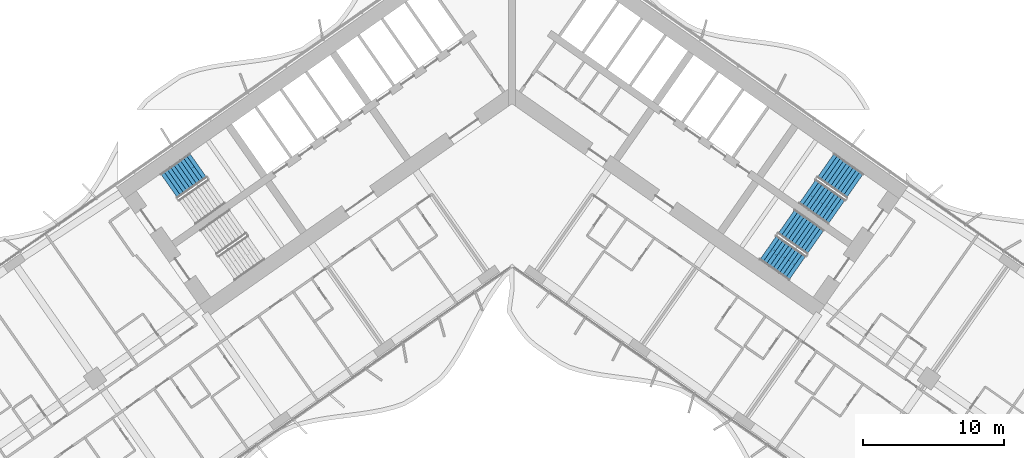
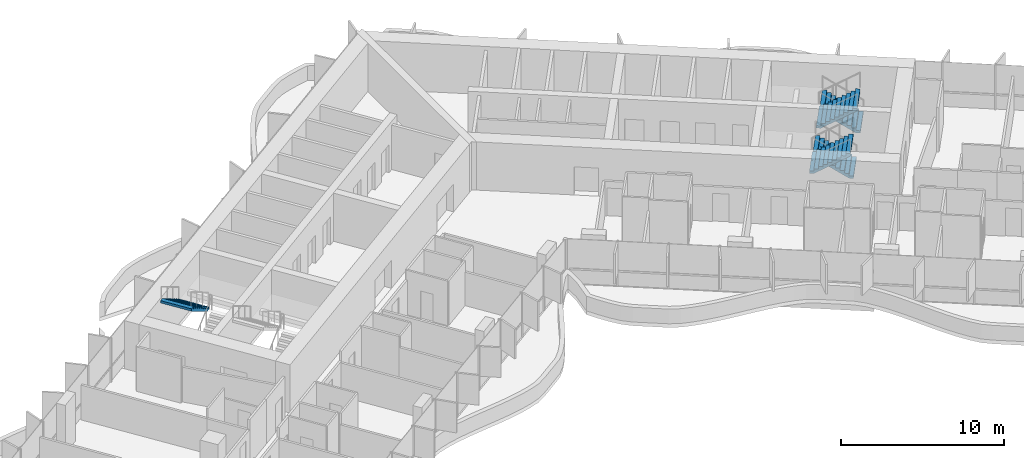
# One storey, part 19 of 25: 5 stair flights, 3 elements without a shape of their own.
"""IFC4 building model written with IfcOpenShell, lengths in metres."""

from ifc_helpers import new_model, si_unit, direction, frame, origin, place, context, subcontext, project, spatial, polyline, outline, extrude, material, type_object, element, aggregate, save


model = new_model("IFC4")

# Units and contexts
model_context = context("Model", 3, precision=1e-05, world=origin(), true_north=direction((0.0, 1.0)))
body_context = subcontext(model_context, "Body", "Model", "MODEL_VIEW")
ifc_project = project(units=[si_unit("LENGTHUNIT", "METRE"), si_unit("AREAUNIT", "SQUARE_METRE"), si_unit("VOLUMEUNIT", "CUBIC_METRE"), si_unit("PLANEANGLEUNIT", "RADIAN"), si_unit("MASSUNIT", "GRAM", prefix="KILO")], contexts=[model_context])

# Site, building, storey
site_placement = place(None, origin())
site = spatial("IfcSite", under=ifc_project, at=site_placement, CompositionType="ELEMENT")
building_placement = place(site_placement, origin())
building = spatial("IfcBuilding", under=site, at=building_placement, Name="Tel Ilan Convention Tower", CompositionType="ELEMENT")
storey_placement = place(building_placement, frame((0.0, 0.0, 61.699951171875)))
storey = spatial("IfcBuildingStorey", under=building, at=storey_placement, Name="L10", CompositionType="ELEMENT", Elevation=61.699951171875)

# Stair, stair flight
ifc_material_1 = material(Name="Concrete C40/50", Category="concrete")
stair_type = type_object("IfcStairType", Name="Pressurised Exit Stair 20 risers 180 mm", PredefinedType="HALF_TURN_STAIR", material=ifc_material_1)
stair_1_placement = place(storey_placement, origin())
stair_1 = element("IfcStair", 1, at=stair_1_placement, inside=storey, type_object=stair_type, Name="L10 Pressurised Stair S1", PredefinedType="HALF_TURN_STAIR")
ifc_material_2 = material(Name="Precast Concrete C40/50", Category="concrete")
stair_flight_type = type_object("IfcStairFlightType", Name="Concrete Stair Flight 2100 mm 20 risers 180 mm", PredefinedType="STRAIGHT", material=ifc_material_2)
stair_flight_1_placement = place(storey_placement, frame((-22.188232421875, -5.5869140625, 1.800048828125), z_axis=(0.0, 0.0, 1.0), x_axis=(-0.819152044289, -0.573576436351, 0.0)))
stair_flight_1 = element("IfcStairFlight", 2, at=stair_flight_1_placement, type_object=stair_flight_type, Name="S1 flight 2", NumberOfRisers=10, NumberOfTreads=9, PredefinedType="STRAIGHT", RiserHeight=0.18, TreadLength=0.28, context=body_context, shape_type="SweptSolid", body=[
    extrude(outline(polyline([(0.0, 0.0), (0.0, 0.179931640625), (0.280029296875, 0.179931640625), (0.280029296875, 0.360107421875), (0.56005859375, 0.360107421875), (0.56005859375, 0.5400390625), (0.840087890625, 0.5400390625), (0.840087890625, 0.719970703125), (1.1201171875, 0.719970703125), (1.1201171875, 0.89990234375), (1.39990234375, 0.89990234375), (1.39990234375, 1.080078125), (1.679931640625, 1.080078125), (1.679931640625, 1.260009765625), (1.9599609375, 1.260009765625), (1.9599609375, 1.43994140625), (2.239990234375, 1.43994140625), (2.239990234375, 1.6201171875), (2.52001953125, 1.6201171875), (2.52001953125, 1.800048828125), (2.52001953125, 1.44189453125), (0.277099609375, 0.0), (0.0, 0.0)])), frame((0.0, -0.100341796875, 0.0), z_axis=(0.0, -1.0, 0.0), x_axis=(1.0, 0.0, 0.0)), (0.0, 0.0, 1.0), 0.94970703125),
    extrude(outline(polyline([(0.0, 0.0), (0.0, 0.179931640625), (0.280029296875, 0.179931640625), (0.280029296875, 0.360107421875), (0.56005859375, 0.360107421875), (0.56005859375, 0.5400390625), (0.840087890625, 0.5400390625), (0.840087890625, 0.719970703125), (1.1201171875, 0.719970703125), (1.1201171875, 0.89990234375), (1.39990234375, 0.89990234375), (1.39990234375, 1.080078125), (1.679931640625, 1.080078125), (1.679931640625, 1.260009765625), (1.9599609375, 1.260009765625), (1.9599609375, 1.43994140625), (2.239990234375, 1.43994140625), (2.239990234375, 1.6201171875), (2.52001953125, 1.6201171875), (2.52001953125, 1.800048828125), (2.52001953125, 1.44189453125), (0.277099609375, 0.0), (0.0, 0.0)])), frame((0.0, -0.000244140625, 0.0), z_axis=(0.0, -1.0, 0.0), x_axis=(1.0, 0.0, 0.0)), (0.0, 0.0, 1.0), 0.099609375),
    extrude(outline(polyline([(0.0, 0.0), (0.0, 0.179931640625), (0.280029296875, 0.179931640625), (0.280029296875, 0.360107421875), (0.56005859375, 0.360107421875), (0.56005859375, 0.5400390625), (0.840087890625, 0.5400390625), (0.840087890625, 0.719970703125), (1.1201171875, 0.719970703125), (1.1201171875, 0.89990234375), (1.39990234375, 0.89990234375), (1.39990234375, 1.080078125), (1.679931640625, 1.080078125), (1.679931640625, 1.260009765625), (1.9599609375, 1.260009765625), (1.9599609375, 1.43994140625), (2.239990234375, 1.43994140625), (2.239990234375, 1.6201171875), (2.52001953125, 1.6201171875), (2.52001953125, 1.800048828125), (2.52001953125, 1.44189453125), (0.277099609375, 0.0), (0.0, 0.0)])), frame((0.0, 0.099853515625, 0.0), z_axis=(0.0, -1.0, 0.0), x_axis=(1.0, 0.0, 0.0)), (0.0, 0.0, 1.0), 0.099609375),
    extrude(outline(polyline([(0.0, 0.0), (0.0, 0.179931640625), (0.280029296875, 0.179931640625), (0.280029296875, 0.360107421875), (0.56005859375, 0.360107421875), (0.56005859375, 0.5400390625), (0.840087890625, 0.5400390625), (0.840087890625, 0.719970703125), (1.1201171875, 0.719970703125), (1.1201171875, 0.89990234375), (1.39990234375, 0.89990234375), (1.39990234375, 1.080078125), (1.679931640625, 1.080078125), (1.679931640625, 1.260009765625), (1.9599609375, 1.260009765625), (1.9599609375, 1.43994140625), (2.239990234375, 1.43994140625), (2.239990234375, 1.6201171875), (2.52001953125, 1.6201171875), (2.52001953125, 1.800048828125), (2.52001953125, 1.44189453125), (0.277099609375, 0.0), (0.0, 0.0)])), frame((0.0, 1.050048828125, 0.0), z_axis=(0.0, -1.0, 0.0), x_axis=(1.0, 0.0, 0.0)), (0.0, 0.0, 1.0), 0.94970703125),
])
aggregate(stair_1, [stair_flight_1])

# Stair, stair flights
stair_2_placement = place(storey_placement, origin())
stair_2 = element("IfcStair", 3, at=stair_2_placement, inside=storey, type_object=stair_type, Name="L10 Pressurised Stair S3", PredefinedType="HALF_TURN_STAIR")
stair_flight_2_placement = place(storey_placement, frame((24.25244140625, -7.032470703125, 0.0), z_axis=(0.0, 0.0, 1.0), x_axis=(-0.819152044289, 0.573576436351, 0.0)))
stair_flight_2 = element("IfcStairFlight", 4, at=stair_flight_2_placement, type_object=stair_flight_type, Name="S3 flight 1", NumberOfRisers=10, NumberOfTreads=9, PredefinedType="STRAIGHT", RiserHeight=0.18, TreadLength=0.28, context=body_context, shape_type="SweptSolid", body=[
    extrude(outline(polyline([(0.0, 0.0), (0.0, 0.179931640625), (0.280029296875, 0.179931640625), (0.280029296875, 0.360107421875), (0.56005859375, 0.360107421875), (0.56005859375, 0.5400390625), (0.840087890625, 0.5400390625), (0.840087890625, 0.719970703125), (1.1201171875, 0.719970703125), (1.1201171875, 0.89990234375), (1.39990234375, 0.89990234375), (1.39990234375, 1.080078125), (1.679931640625, 1.080078125), (1.679931640625, 1.260009765625), (1.9599609375, 1.260009765625), (1.9599609375, 1.43994140625), (2.239990234375, 1.43994140625), (2.239990234375, 1.6201171875), (2.52001953125, 1.6201171875), (2.52001953125, 1.800048828125), (2.52001953125, 1.44189453125), (0.277099609375, 0.0), (0.0, 0.0)])), frame((0.0, -0.100341796875, 0.0), z_axis=(0.0, -1.0, 0.0), x_axis=(1.0, 0.0, 0.0)), (0.0, 0.0, 1.0), 0.94970703125),
    extrude(outline(polyline([(0.0, 0.0), (0.0, 0.179931640625), (0.280029296875, 0.179931640625), (0.280029296875, 0.360107421875), (0.56005859375, 0.360107421875), (0.56005859375, 0.5400390625), (0.840087890625, 0.5400390625), (0.840087890625, 0.719970703125), (1.1201171875, 0.719970703125), (1.1201171875, 0.89990234375), (1.39990234375, 0.89990234375), (1.39990234375, 1.080078125), (1.679931640625, 1.080078125), (1.679931640625, 1.260009765625), (1.9599609375, 1.260009765625), (1.9599609375, 1.43994140625), (2.239990234375, 1.43994140625), (2.239990234375, 1.6201171875), (2.52001953125, 1.6201171875), (2.52001953125, 1.800048828125), (2.52001953125, 1.44189453125), (0.277099609375, 0.0), (0.0, 0.0)])), frame((0.0, -0.000244140625, 0.0), z_axis=(0.0, -1.0, 0.0), x_axis=(1.0, 0.0, 0.0)), (0.0, 0.0, 1.0), 0.099609375),
    extrude(outline(polyline([(0.0, 0.0), (0.0, 0.179931640625), (0.280029296875, 0.179931640625), (0.280029296875, 0.360107421875), (0.56005859375, 0.360107421875), (0.56005859375, 0.5400390625), (0.840087890625, 0.5400390625), (0.840087890625, 0.719970703125), (1.1201171875, 0.719970703125), (1.1201171875, 0.89990234375), (1.39990234375, 0.89990234375), (1.39990234375, 1.080078125), (1.679931640625, 1.080078125), (1.679931640625, 1.260009765625), (1.9599609375, 1.260009765625), (1.9599609375, 1.43994140625), (2.239990234375, 1.43994140625), (2.239990234375, 1.6201171875), (2.52001953125, 1.6201171875), (2.52001953125, 1.800048828125), (2.52001953125, 1.44189453125), (0.277099609375, 0.0), (0.0, 0.0)])), frame((0.0, 0.099853515625, 0.0), z_axis=(0.0, -1.0, 0.0), x_axis=(1.0, 0.0, 0.0)), (0.0, 0.0, 1.0), 0.099609375),
    extrude(outline(polyline([(0.0, 0.0), (0.0, 0.179931640625), (0.280029296875, 0.179931640625), (0.280029296875, 0.360107421875), (0.56005859375, 0.360107421875), (0.56005859375, 0.5400390625), (0.840087890625, 0.5400390625), (0.840087890625, 0.719970703125), (1.1201171875, 0.719970703125), (1.1201171875, 0.89990234375), (1.39990234375, 0.89990234375), (1.39990234375, 1.080078125), (1.679931640625, 1.080078125), (1.679931640625, 1.260009765625), (1.9599609375, 1.260009765625), (1.9599609375, 1.43994140625), (2.239990234375, 1.43994140625), (2.239990234375, 1.6201171875), (2.52001953125, 1.6201171875), (2.52001953125, 1.800048828125), (2.52001953125, 1.44189453125), (0.277099609375, 0.0), (0.0, 0.0)])), frame((0.0, 1.050048828125, 0.0), z_axis=(0.0, -1.0, 0.0), x_axis=(1.0, 0.0, 0.0)), (0.0, 0.0, 1.0), 0.94970703125),
])
stair_flight_3_placement = place(storey_placement, frame((20.8974609375, -7.43017578125, 1.800048828125), z_axis=(0.0, 0.0, 1.0), x_axis=(0.819152044289, -0.573576436351, 0.0)))
stair_flight_3 = element("IfcStairFlight", 5, at=stair_flight_3_placement, type_object=stair_flight_type, Name="S3 flight 2", NumberOfRisers=10, NumberOfTreads=9, PredefinedType="STRAIGHT", RiserHeight=0.18, TreadLength=0.28, context=body_context, shape_type="SweptSolid", body=[
    extrude(outline(polyline([(0.0, 0.0), (0.0, 0.179931640625), (0.280029296875, 0.179931640625), (0.280029296875, 0.360107421875), (0.56005859375, 0.360107421875), (0.56005859375, 0.5400390625), (0.840087890625, 0.5400390625), (0.840087890625, 0.719970703125), (1.1201171875, 0.719970703125), (1.1201171875, 0.89990234375), (1.39990234375, 0.89990234375), (1.39990234375, 1.080078125), (1.679931640625, 1.080078125), (1.679931640625, 1.260009765625), (1.9599609375, 1.260009765625), (1.9599609375, 1.43994140625), (2.239990234375, 1.43994140625), (2.239990234375, 1.6201171875), (2.52001953125, 1.6201171875), (2.52001953125, 1.800048828125), (2.52001953125, 1.44189453125), (0.277099609375, 0.0), (0.0, 0.0)])), frame((0.0, -0.100341796875, 0.0), z_axis=(0.0, -1.0, 0.0), x_axis=(1.0, 0.0, 0.0)), (0.0, 0.0, 1.0), 0.94970703125),
    extrude(outline(polyline([(0.0, 0.0), (0.0, 0.179931640625), (0.280029296875, 0.179931640625), (0.280029296875, 0.360107421875), (0.56005859375, 0.360107421875), (0.56005859375, 0.5400390625), (0.840087890625, 0.5400390625), (0.840087890625, 0.719970703125), (1.1201171875, 0.719970703125), (1.1201171875, 0.89990234375), (1.39990234375, 0.89990234375), (1.39990234375, 1.080078125), (1.679931640625, 1.080078125), (1.679931640625, 1.260009765625), (1.9599609375, 1.260009765625), (1.9599609375, 1.43994140625), (2.239990234375, 1.43994140625), (2.239990234375, 1.6201171875), (2.52001953125, 1.6201171875), (2.52001953125, 1.800048828125), (2.52001953125, 1.44189453125), (0.277099609375, 0.0), (0.0, 0.0)])), frame((0.0, -0.000244140625, 0.0), z_axis=(0.0, -1.0, 0.0), x_axis=(1.0, 0.0, 0.0)), (0.0, 0.0, 1.0), 0.099609375),
    extrude(outline(polyline([(0.0, 0.0), (0.0, 0.179931640625), (0.280029296875, 0.179931640625), (0.280029296875, 0.360107421875), (0.56005859375, 0.360107421875), (0.56005859375, 0.5400390625), (0.840087890625, 0.5400390625), (0.840087890625, 0.719970703125), (1.1201171875, 0.719970703125), (1.1201171875, 0.89990234375), (1.39990234375, 0.89990234375), (1.39990234375, 1.080078125), (1.679931640625, 1.080078125), (1.679931640625, 1.260009765625), (1.9599609375, 1.260009765625), (1.9599609375, 1.43994140625), (2.239990234375, 1.43994140625), (2.239990234375, 1.6201171875), (2.52001953125, 1.6201171875), (2.52001953125, 1.800048828125), (2.52001953125, 1.44189453125), (0.277099609375, 0.0), (0.0, 0.0)])), frame((0.0, 0.099853515625, 0.0), z_axis=(0.0, -1.0, 0.0), x_axis=(1.0, 0.0, 0.0)), (0.0, 0.0, 1.0), 0.099609375),
    extrude(outline(polyline([(0.0, 0.0), (0.0, 0.179931640625), (0.280029296875, 0.179931640625), (0.280029296875, 0.360107421875), (0.56005859375, 0.360107421875), (0.56005859375, 0.5400390625), (0.840087890625, 0.5400390625), (0.840087890625, 0.719970703125), (1.1201171875, 0.719970703125), (1.1201171875, 0.89990234375), (1.39990234375, 0.89990234375), (1.39990234375, 1.080078125), (1.679931640625, 1.080078125), (1.679931640625, 1.260009765625), (1.9599609375, 1.260009765625), (1.9599609375, 1.43994140625), (2.239990234375, 1.43994140625), (2.239990234375, 1.6201171875), (2.52001953125, 1.6201171875), (2.52001953125, 1.800048828125), (2.52001953125, 1.44189453125), (0.277099609375, 0.0), (0.0, 0.0)])), frame((0.0, 1.050048828125, 0.0), z_axis=(0.0, -1.0, 0.0), x_axis=(1.0, 0.0, 0.0)), (0.0, 0.0, 1.0), 0.94970703125),
])
aggregate(stair_2, [stair_flight_2, stair_flight_3])

stair_3_placement = place(storey_placement, origin())
stair_3 = element("IfcStair", 6, at=stair_3_placement, inside=storey, type_object=stair_type, Name="L10 Pressurised Stair S4", PredefinedType="HALF_TURN_STAIR")
stair_flight_4_placement = place(storey_placement, frame((21.470458984375, -11.00537109375, 0.0), z_axis=(0.0, 0.0, 1.0), x_axis=(-0.819152044289, 0.573576436351, 0.0)))
stair_flight_4 = element("IfcStairFlight", 7, at=stair_flight_4_placement, type_object=stair_flight_type, Name="S4 flight 1", NumberOfRisers=10, NumberOfTreads=9, PredefinedType="STRAIGHT", RiserHeight=0.18, TreadLength=0.28, context=body_context, shape_type="SweptSolid", body=[
    extrude(outline(polyline([(0.0, 0.0), (0.0, 0.179931640625), (0.280029296875, 0.179931640625), (0.280029296875, 0.360107421875), (0.56005859375, 0.360107421875), (0.56005859375, 0.5400390625), (0.840087890625, 0.5400390625), (0.840087890625, 0.719970703125), (1.1201171875, 0.719970703125), (1.1201171875, 0.89990234375), (1.39990234375, 0.89990234375), (1.39990234375, 1.080078125), (1.679931640625, 1.080078125), (1.679931640625, 1.260009765625), (1.9599609375, 1.260009765625), (1.9599609375, 1.43994140625), (2.239990234375, 1.43994140625), (2.239990234375, 1.6201171875), (2.52001953125, 1.6201171875), (2.52001953125, 1.800048828125), (2.52001953125, 1.44189453125), (0.277099609375, 0.0), (0.0, 0.0)])), frame((0.0, -0.100341796875, 0.0), z_axis=(0.0, -1.0, 0.0), x_axis=(1.0, 0.0, 0.0)), (0.0, 0.0, 1.0), 0.94970703125),
    extrude(outline(polyline([(0.0, 0.0), (0.0, 0.179931640625), (0.280029296875, 0.179931640625), (0.280029296875, 0.360107421875), (0.56005859375, 0.360107421875), (0.56005859375, 0.5400390625), (0.840087890625, 0.5400390625), (0.840087890625, 0.719970703125), (1.1201171875, 0.719970703125), (1.1201171875, 0.89990234375), (1.39990234375, 0.89990234375), (1.39990234375, 1.080078125), (1.679931640625, 1.080078125), (1.679931640625, 1.260009765625), (1.9599609375, 1.260009765625), (1.9599609375, 1.43994140625), (2.239990234375, 1.43994140625), (2.239990234375, 1.6201171875), (2.52001953125, 1.6201171875), (2.52001953125, 1.800048828125), (2.52001953125, 1.44189453125), (0.277099609375, 0.0), (0.0, 0.0)])), frame((0.0, -0.000244140625, 0.0), z_axis=(0.0, -1.0, 0.0), x_axis=(1.0, 0.0, 0.0)), (0.0, 0.0, 1.0), 0.099609375),
    extrude(outline(polyline([(0.0, 0.0), (0.0, 0.179931640625), (0.280029296875, 0.179931640625), (0.280029296875, 0.360107421875), (0.56005859375, 0.360107421875), (0.56005859375, 0.5400390625), (0.840087890625, 0.5400390625), (0.840087890625, 0.719970703125), (1.1201171875, 0.719970703125), (1.1201171875, 0.89990234375), (1.39990234375, 0.89990234375), (1.39990234375, 1.080078125), (1.679931640625, 1.080078125), (1.679931640625, 1.260009765625), (1.9599609375, 1.260009765625), (1.9599609375, 1.43994140625), (2.239990234375, 1.43994140625), (2.239990234375, 1.6201171875), (2.52001953125, 1.6201171875), (2.52001953125, 1.800048828125), (2.52001953125, 1.44189453125), (0.277099609375, 0.0), (0.0, 0.0)])), frame((0.0, 0.099853515625, 0.0), z_axis=(0.0, -1.0, 0.0), x_axis=(1.0, 0.0, 0.0)), (0.0, 0.0, 1.0), 0.099609375),
    extrude(outline(polyline([(0.0, 0.0), (0.0, 0.179931640625), (0.280029296875, 0.179931640625), (0.280029296875, 0.360107421875), (0.56005859375, 0.360107421875), (0.56005859375, 0.5400390625), (0.840087890625, 0.5400390625), (0.840087890625, 0.719970703125), (1.1201171875, 0.719970703125), (1.1201171875, 0.89990234375), (1.39990234375, 0.89990234375), (1.39990234375, 1.080078125), (1.679931640625, 1.080078125), (1.679931640625, 1.260009765625), (1.9599609375, 1.260009765625), (1.9599609375, 1.43994140625), (2.239990234375, 1.43994140625), (2.239990234375, 1.6201171875), (2.52001953125, 1.6201171875), (2.52001953125, 1.800048828125), (2.52001953125, 1.44189453125), (0.277099609375, 0.0), (0.0, 0.0)])), frame((0.0, 1.050048828125, 0.0), z_axis=(0.0, -1.0, 0.0), x_axis=(1.0, 0.0, 0.0)), (0.0, 0.0, 1.0), 0.94970703125),
])
stair_flight_5_placement = place(storey_placement, frame((18.11572265625, -11.403076171875, 1.800048828125), z_axis=(0.0, 0.0, 1.0), x_axis=(0.819152044289, -0.573576436351, 0.0)))
stair_flight_5 = element("IfcStairFlight", 8, at=stair_flight_5_placement, type_object=stair_flight_type, Name="S4 flight 2", NumberOfRisers=10, NumberOfTreads=9, PredefinedType="STRAIGHT", RiserHeight=0.18, TreadLength=0.28, context=body_context, shape_type="SweptSolid", body=[
    extrude(outline(polyline([(0.0, 0.0), (0.0, 0.179931640625), (0.280029296875, 0.179931640625), (0.280029296875, 0.360107421875), (0.56005859375, 0.360107421875), (0.56005859375, 0.5400390625), (0.840087890625, 0.5400390625), (0.840087890625, 0.719970703125), (1.1201171875, 0.719970703125), (1.1201171875, 0.89990234375), (1.39990234375, 0.89990234375), (1.39990234375, 1.080078125), (1.679931640625, 1.080078125), (1.679931640625, 1.260009765625), (1.9599609375, 1.260009765625), (1.9599609375, 1.43994140625), (2.239990234375, 1.43994140625), (2.239990234375, 1.6201171875), (2.52001953125, 1.6201171875), (2.52001953125, 1.800048828125), (2.52001953125, 1.44189453125), (0.277099609375, 0.0), (0.0, 0.0)])), frame((0.0, -0.100341796875, 0.0), z_axis=(0.0, -1.0, 0.0), x_axis=(1.0, 0.0, 0.0)), (0.0, 0.0, 1.0), 0.94970703125),
    extrude(outline(polyline([(0.0, 0.0), (0.0, 0.179931640625), (0.280029296875, 0.179931640625), (0.280029296875, 0.360107421875), (0.56005859375, 0.360107421875), (0.56005859375, 0.5400390625), (0.840087890625, 0.5400390625), (0.840087890625, 0.719970703125), (1.1201171875, 0.719970703125), (1.1201171875, 0.89990234375), (1.39990234375, 0.89990234375), (1.39990234375, 1.080078125), (1.679931640625, 1.080078125), (1.679931640625, 1.260009765625), (1.9599609375, 1.260009765625), (1.9599609375, 1.43994140625), (2.239990234375, 1.43994140625), (2.239990234375, 1.6201171875), (2.52001953125, 1.6201171875), (2.52001953125, 1.800048828125), (2.52001953125, 1.44189453125), (0.277099609375, 0.0), (0.0, 0.0)])), frame((0.0, -0.000244140625, 0.0), z_axis=(0.0, -1.0, 0.0), x_axis=(1.0, 0.0, 0.0)), (0.0, 0.0, 1.0), 0.099609375),
    extrude(outline(polyline([(0.0, 0.0), (0.0, 0.179931640625), (0.280029296875, 0.179931640625), (0.280029296875, 0.360107421875), (0.56005859375, 0.360107421875), (0.56005859375, 0.5400390625), (0.840087890625, 0.5400390625), (0.840087890625, 0.719970703125), (1.1201171875, 0.719970703125), (1.1201171875, 0.89990234375), (1.39990234375, 0.89990234375), (1.39990234375, 1.080078125), (1.679931640625, 1.080078125), (1.679931640625, 1.260009765625), (1.9599609375, 1.260009765625), (1.9599609375, 1.43994140625), (2.239990234375, 1.43994140625), (2.239990234375, 1.6201171875), (2.52001953125, 1.6201171875), (2.52001953125, 1.800048828125), (2.52001953125, 1.44189453125), (0.277099609375, 0.0), (0.0, 0.0)])), frame((0.0, 0.099853515625, 0.0), z_axis=(0.0, -1.0, 0.0), x_axis=(1.0, 0.0, 0.0)), (0.0, 0.0, 1.0), 0.099609375),
    extrude(outline(polyline([(0.0, 0.0), (0.0, 0.179931640625), (0.280029296875, 0.179931640625), (0.280029296875, 0.360107421875), (0.56005859375, 0.360107421875), (0.56005859375, 0.5400390625), (0.840087890625, 0.5400390625), (0.840087890625, 0.719970703125), (1.1201171875, 0.719970703125), (1.1201171875, 0.89990234375), (1.39990234375, 0.89990234375), (1.39990234375, 1.080078125), (1.679931640625, 1.080078125), (1.679931640625, 1.260009765625), (1.9599609375, 1.260009765625), (1.9599609375, 1.43994140625), (2.239990234375, 1.43994140625), (2.239990234375, 1.6201171875), (2.52001953125, 1.6201171875), (2.52001953125, 1.800048828125), (2.52001953125, 1.44189453125), (0.277099609375, 0.0), (0.0, 0.0)])), frame((0.0, 1.050048828125, 0.0), z_axis=(0.0, -1.0, 0.0), x_axis=(1.0, 0.0, 0.0)), (0.0, 0.0, 1.0), 0.94970703125),
])
aggregate(stair_3, [stair_flight_4, stair_flight_5])

save(model, "model.ifc")
